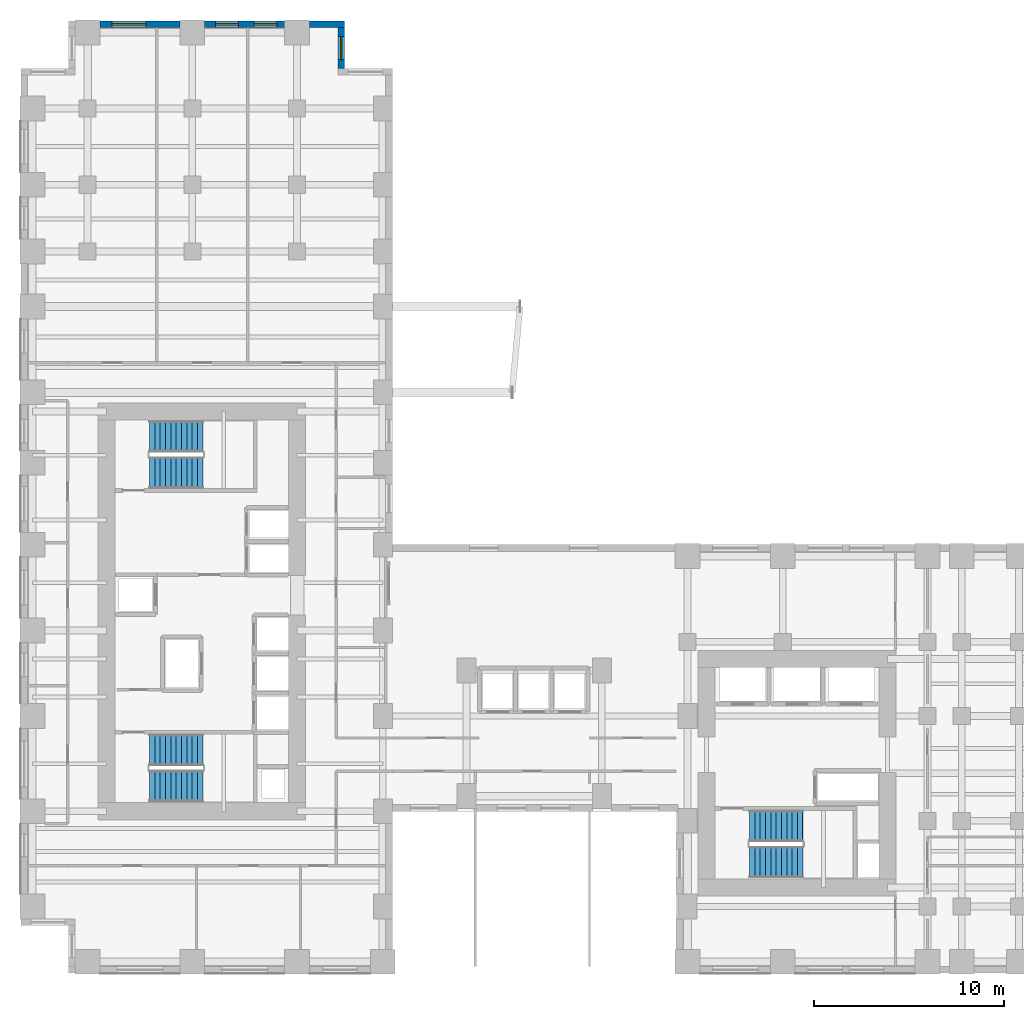
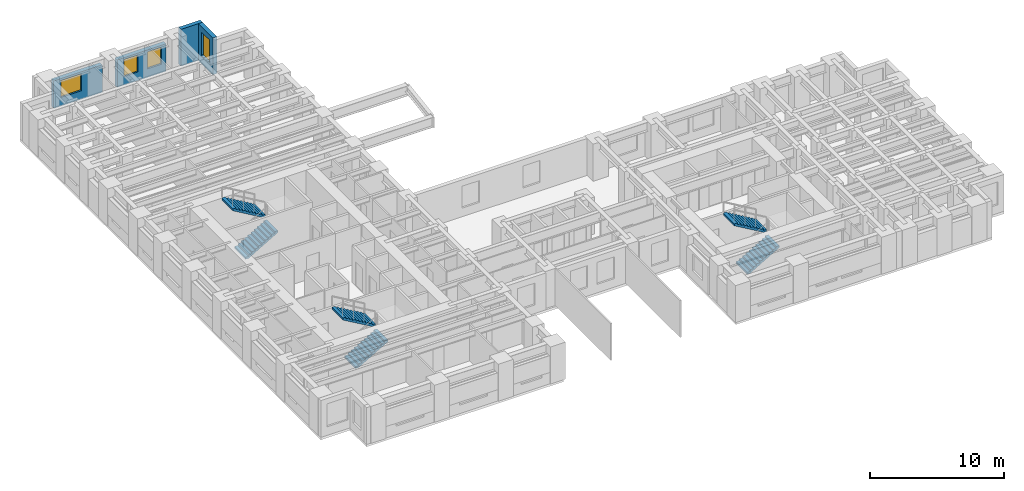
# One storey, part 12 of 14: 6 stair flights, 4 walls, 4 windows, 4 openings, 3 elements without a shape of their own.
"""IFC4 building model written with IfcOpenShell, lengths in metres."""

import ifcopenshell
import ifcopenshell.guid

model = None  # the IFC model being written
_history = None  # IfcOwnerHistory: only IFC2X3 demands one
_inside = {}  # id of a spatial element -> (the spatial element, [elements in it])
_under = {}  # id of a project, library or spatial element -> (it, [spatial elements below it])
_declared = {}  # id of a project -> (the project, [libraries it declares])
_typed = {}  # id of a type object -> (the type object, [elements of that type])
_made_of = {}  # id of a material, layer set ... -> (it, [elements and type objects made of it])


def new_model(schema):
    """Start an empty IFC model of exactly this schema.

    Asked for "IFC4X3", IfcOpenShell would pick the latest addendum, in which some entities
    have other attributes; the version numbers below select the first issue.
    IFC2X3 requires an IfcOwnerHistory on every rooted entity: one is made here for all.
    """
    global model, _history
    if schema == "IFC4X3":
        model = ifcopenshell.file(schema_version=(4, 3, 0, 0))
    else:
        model = ifcopenshell.file(schema=schema)
    _inside.clear()
    _under.clear()
    _declared.clear()
    _typed.clear()
    _made_of.clear()
    _history = None
    if model.schema == "IFC2X3":
        org = make("IfcOrganization", Name="unknown")
        user = make(
            "IfcPersonAndOrganization",
            ThePerson=make("IfcPerson", FamilyName="unknown"),
            TheOrganization=org,
        )
        app = make(
            "IfcApplication",
            ApplicationDeveloper=org,
            Version="unknown",
            ApplicationFullName="unknown",
            ApplicationIdentifier="unknown",
        )
        _history = make(
            "IfcOwnerHistory",
            OwningUser=user,
            OwningApplication=app,
            ChangeAction="ADDED",
            CreationDate=0,
        )
    return model


def make(cls, **values):
    """One entity of the class cls with the attributes given. An attribute that is None is left unset."""
    return model.create_entity(
        cls, **{name: value for name, value in values.items() if value is not None}
    )


def rooted(cls, **values):
    """An entity with a GlobalId (a new one), such as an element, a storey or a relation."""
    return make(cls, GlobalId=ifcopenshell.guid.new(), OwnerHistory=_history, **values)


def si_unit(unit_type, name, prefix=None):
    """IfcSIUnit, for example si_unit("LENGTHUNIT", "METRE", prefix="MILLI")."""
    return make("IfcSIUnit", UnitType=unit_type, Prefix=prefix, Name=name)


def assignment(units):
    """IfcUnitAssignment: the units of a project."""
    return None if units is None else make("IfcUnitAssignment", Units=units)


def point(xyz):
    """IfcCartesianPoint."""
    return None if xyz is None else make("IfcCartesianPoint", Coordinates=xyz)


def direction(xyz):
    """IfcDirection."""
    return None if xyz is None else make("IfcDirection", DirectionRatios=xyz)


def frame(location, z_axis=None, x_axis=None):
    """IfcAxis2Placement3D, a coordinate frame: its origin and axes. An axis left out is left unset."""
    return make(
        "IfcAxis2Placement3D",
        Location=point(location),
        Axis=direction(z_axis),
        RefDirection=direction(x_axis),
    )


def frame_2d(location, x_axis=None):
    """IfcAxis2Placement2D, a coordinate frame in the plane: its origin and x axis."""
    return make(
        "IfcAxis2Placement2D", Location=point(location), RefDirection=direction(x_axis)
    )


def origin():
    """The frame at (0, 0, 0) with its axes left unset."""
    return frame((0.0, 0.0, 0.0))


def place(relative_to, where):
    """IfcLocalPlacement: puts the frame where relative to a parent placement (None: the world)."""
    return make(
        "IfcLocalPlacement", PlacementRelTo=relative_to, RelativePlacement=where
    )


def context(
    kind, dimensions, precision=None, world=None, true_north=None, identifier=None
):
    """IfcGeometricRepresentationContext, for example the 3D "Model" context."""
    return make(
        "IfcGeometricRepresentationContext",
        ContextIdentifier=identifier,
        ContextType=kind,
        CoordinateSpaceDimension=dimensions,
        Precision=precision,
        WorldCoordinateSystem=world,
        TrueNorth=true_north,
    )


def subcontext(parent, identifier, kind, view, scale=None):
    """IfcGeometricRepresentationSubContext, for example "Body" below "Model"."""
    return make(
        "IfcGeometricRepresentationSubContext",
        ContextIdentifier=identifier,
        ContextType=kind,
        ParentContext=parent,
        TargetScale=scale,
        TargetView=view,
    )


def project(units=None, contexts=None):
    """IfcProject with its units and contexts."""
    return rooted(
        "IfcProject",
        Name="project",
        RepresentationContexts=contexts,
        UnitsInContext=assignment(units),
    )


def spatial(cls, under=None, at=None, **own):
    """A site, building, storey or space (cls), placed at a placement, below another one or the project."""
    s = rooted(cls, ObjectPlacement=at, **own)
    if under is not None:
        _under.setdefault(under.id(), (under, []))[1].append(s)
    return s


def polyline(points):
    """IfcPolyline through the points."""
    return make("IfcPolyline", Points=[point(p) for p in points])


def profile(cls, at=None, kind="AREA", **sizes):
    """A parametric profile (cls). Its sizes go by their IFC names, for example OverallWidth=200.0."""
    return make(cls, ProfileType=kind, Position=at, **sizes)


def rectangle(**sizes):
    """IfcRectangleProfileDef."""
    return profile("IfcRectangleProfileDef", **sizes)


def outline(outer, holes=None, kind="AREA"):
    """IfcArbitraryClosedProfileDef: a profile drawn as a closed curve; with holes, ...WithVoids."""
    if holes is None:
        return make("IfcArbitraryClosedProfileDef", ProfileType=kind, OuterCurve=outer)
    return make(
        "IfcArbitraryProfileDefWithVoids",
        ProfileType=kind,
        OuterCurve=outer,
        InnerCurves=holes,
    )


def extrude(swept, where, along, depth):
    """IfcExtrudedAreaSolid: the profile swept, set in the frame where, extruded along a direction by depth."""
    return make(
        "IfcExtrudedAreaSolid",
        SweptArea=swept,
        Position=where,
        ExtrudedDirection=direction(along),
        Depth=depth,
    )


def shape(context_of_items, identifier, shape_type, items):
    """IfcShapeRepresentation: the items that make up one representation, for example the "Body"."""
    return make(
        "IfcShapeRepresentation",
        ContextOfItems=context_of_items,
        RepresentationIdentifier=identifier,
        RepresentationType=shape_type,
        Items=items,
    )


def source(mapping_origin, context_of_items, identifier, shape_type, items):
    """IfcRepresentationMap: a shape defined once, which mapped items show again and again."""
    return make(
        "IfcRepresentationMap",
        MappingOrigin=mapping_origin,
        MappedRepresentation=shape(context_of_items, identifier, shape_type, items),
    )


def transform(
    local_origin,
    x_axis=None,
    y_axis=None,
    z_axis=None,
    scale=None,
    scale2=None,
    scale3=None,
    uniform=True,
):
    """IfcCartesianTransformationOperator3D, or its non-uniform kind. x_axis, y_axis, z_axis: its Axis1, 2, 3."""
    if uniform:
        return make(
            "IfcCartesianTransformationOperator3D",
            Axis1=direction(x_axis),
            Axis2=direction(y_axis),
            LocalOrigin=point(local_origin),
            Scale=scale,
            Axis3=direction(z_axis),
        )
    return make(
        "IfcCartesianTransformationOperator3DnonUniform",
        Axis1=direction(x_axis),
        Axis2=direction(y_axis),
        LocalOrigin=point(local_origin),
        Scale=scale,
        Axis3=direction(z_axis),
        Scale2=scale2,
        Scale3=scale3,
    )


def mapped(mapping_source, mapping_target):
    """IfcMappedItem: shows the shape of a source again, moved by a transform."""
    return make(
        "IfcMappedItem", MappingSource=mapping_source, MappingTarget=mapping_target
    )


def material(Name=None, Category=None):
    """IfcMaterial."""
    return make("IfcMaterial", Name=Name, Category=Category)


def layer(
    of_material, thickness, ventilated=None, Name=None, Category=None, Priority=None
):
    """IfcMaterialLayer: one layer of a wall or slab, of a material (None: an air gap)."""
    return make(
        "IfcMaterialLayer",
        Material=of_material,
        LayerThickness=thickness,
        IsVentilated=ventilated,
        Name=Name,
        Category=Category,
        Priority=Priority,
    )


def layer_set(layers, Name=None):
    """IfcMaterialLayerSet."""
    return make("IfcMaterialLayerSet", MaterialLayers=layers, LayerSetName=Name)


def made_of(thing, what):
    """Note that an element or type object is made of a material, layer set ...; save() writes the relation."""
    if what is not None:
        _made_of.setdefault(what.id(), (what, []))[1].append(thing)
    return thing


def type_object(cls, material=None, **own):
    """A type object (cls), such as IfcWallType, which elements share."""
    return made_of(rooted(cls, **own), material)


def element(
    cls,
    number,
    at=None,
    inside=None,
    cuts=None,
    type_object=None,
    material=None,
    context=None,
    identifier="Body",
    shape_type=None,
    held_by="IfcProductDefinitionShape",
    body=None,
    shapes=None,
    **own,
):
    """One element of the class cls, such as IfcWall. Its Tag is "e" and its number.

    at: its placement. inside: the storey or other place that contains it. cuts: it is an
    opening in that element (IfcRelVoidsElement). A single representation is given by context,
    identifier, shape_type and body (its items); several are given by shapes. held_by: the class
    of the entity that holds the representations. save() writes the other relations.
    """
    e = rooted(cls, Tag="e%d" % number, ObjectPlacement=at, **own)
    if body is not None:
        shapes = [shape(context, identifier, shape_type, body)]
    if shapes is not None:
        e.Representation = make(held_by, Representations=shapes)
    if inside is not None:
        _inside.setdefault(inside.id(), (inside, []))[1].append(e)
    if cuts is not None:
        rooted(
            "IfcRelVoidsElement", RelatingBuildingElement=cuts, RelatedOpeningElement=e
        )
    if type_object is not None:
        _typed.setdefault(type_object.id(), (type_object, []))[1].append(e)
    return made_of(e, material)


def fill(opening, filler):
    """IfcRelFillsElement: the door or window that sits in an opening."""
    return rooted(
        "IfcRelFillsElement",
        RelatingOpeningElement=opening,
        RelatedBuildingElement=filler,
    )


def aggregate(whole, parts):
    """IfcRelAggregates: a whole, such as a stair, and the parts it consists of."""
    return rooted("IfcRelAggregates", RelatingObject=whole, RelatedObjects=parts)


def save(model, path):
    """Write the relations noted so far, then the file.

    IfcRelAggregates (storeys below a building ...), IfcRelContainedInSpatialStructure (elements
    in a storey), IfcRelDefinesByType, IfcRelAssociatesMaterial and IfcRelDeclares: one each for
    every whole, place, type object, material and project.
    """
    for whole, parts in _under.values():
        aggregate(whole, parts)
    for where, things in _inside.values():
        rooted(
            "IfcRelContainedInSpatialStructure",
            RelatedElements=things,
            RelatingStructure=where,
        )
    for kind, things in _typed.values():
        rooted("IfcRelDefinesByType", RelatedObjects=things, RelatingType=kind)
    for what, things in _made_of.values():
        rooted("IfcRelAssociatesMaterial", RelatedObjects=things, RelatingMaterial=what)
    for by, libraries in _declared.values():
        rooted("IfcRelDeclares", RelatingContext=by, RelatedDefinitions=libraries)
    model.write(path)


model = new_model("IFC4")

# Units and contexts
model_context = context("Model", 3, precision=1e-05, world=origin(), true_north=direction((0.0, 1.0)))
body_context = subcontext(model_context, "Body", "Model", "MODEL_VIEW")
ifc_project = project(units=[si_unit("LENGTHUNIT", "METRE"), si_unit("AREAUNIT", "SQUARE_METRE"), si_unit("VOLUMEUNIT", "CUBIC_METRE"), si_unit("PLANEANGLEUNIT", "RADIAN"), si_unit("MASSUNIT", "GRAM", prefix="KILO")], contexts=[model_context])

# Site, building, storey
site_placement = place(None, origin())
site = spatial("IfcSite", under=ifc_project, at=site_placement, CompositionType="ELEMENT")
building_placement = place(site_placement, origin())
building = spatial("IfcBuilding", under=site, at=building_placement, Name="Kharzan Plaza Tower", CompositionType="ELEMENT")
storey_placement = place(building_placement, frame((0.0, 0.0, 36.89990234375)))
storey = spatial("IfcBuildingStorey", under=building, at=storey_placement, Name="L09", CompositionType="ELEMENT", Elevation=36.89990234375)

# Wall, opening, window
ifc_material_1 = material(Name="Concrete C40/50", Category="concrete")
ifc_layer = layer(ifc_material_1, 0.35009765625)
ifc_layer_set = layer_set([ifc_layer], Name="Concrete C40/50")
wall_type = type_object("IfcWallType", Name="WL-EXT-MAS-Z1", PredefinedType="SOLIDWALL", material=ifc_layer_set)
wall_1_placement = place(storey_placement, frame((16.824951171875, 47.498046875, 0.0), z_axis=(0.0, 0.0, 1.0), x_axis=(0.0, 1.0, 0.0)))
wall_1 = element("IfcWall", 1, at=wall_1_placement, inside=storey, type_object=wall_type, Name="L09 Masonry-Frame Exterior Wall 02", PredefinedType="SOLIDWALL", context=body_context, shape_type="SweptSolid", body=[
    extrude(rectangle(XDim=2.154052734375, YDim=0.35009765625, at=frame_2d((1.0771484375, 0.0))), origin(), (0.0, 0.0, 1.0), 3.364990234375),
])
opening_1_placement = place(wall_1_placement, frame((0.47705078125, 0.0, 0.780029296875)))
opening_1 = element("IfcOpeningElement", 2, at=opening_1_placement, cuts=wall_1, Name="Opening W3", PredefinedType="OPENING", context=body_context, shape_type="SweptSolid", body=[
    extrude(rectangle(XDim=1.199951171875, YDim=2.10009765625, at=frame_2d((0.60009765625, 1.050048828125))), frame((0.0, 0.18505859375, 0.0), z_axis=(0.0, -1.0, 0.0), x_axis=(1.0, 0.0, 0.0)), (0.0, 0.0, 1.0), 0.3701171875),
])
ifc_material_2 = material(Name="Low-E Double Glazing", Category="glass")
window_type_1 = type_object("IfcWindowType", Name="WN-REC-1200x2100", PartitioningType="SINGLE_PANEL", PredefinedType="WINDOW", material=ifc_material_2)
shared_shape_1 = source(origin(), body_context, "Body", "SweptSolid", [
    extrude(rectangle(XDim=1.199951171875, YDim=2.10009765625, at=frame_2d((0.60009765625, 1.050048828125))), frame((0.0, 0.030029296875, 0.0), z_axis=(0.0, -1.0, 0.0), x_axis=(1.0, 0.0, 0.0)), (0.0, 0.0, 1.0), 0.06005859375),
])
window_1_placement = place(opening_1_placement, origin())
window_1 = element("IfcWindow", 3, at=window_1_placement, inside=storey, type_object=window_type_1, Name="L09 Recessed Solar-Control Window 02-1", OverallHeight=2.10009765625, OverallWidth=1.199951171875, PartitioningType="SINGLE_PANEL", PredefinedType="WINDOW", context=body_context, shape_type="MappedRepresentation", body=[
    mapped(shared_shape_1, transform((0.0, 0.0, 0.0), x_axis=(1.0, 0.0, 0.0), y_axis=(0.0, 1.0, 0.0), z_axis=(0.0, 0.0, 1.0))),
])
fill(opening_1, window_1)

# Wall, openings, windows
wall_2_placement = place(storey_placement, frame((13.85205078125, 49.824951171875, 0.0), z_axis=(0.0, 0.0, 1.0), x_axis=(-1.0, 0.0, 0.0)))
wall_2 = element("IfcWall", 4, at=wall_2_placement, inside=storey, type_object=wall_type, Name="L09 Masonry-Frame Exterior Wall 04", PredefinedType="SOLIDWALL", context=body_context, shape_type="SweptSolid", body=[
    extrude(rectangle(XDim=4.2041015625, YDim=0.35009765625, at=frame_2d((2.10205078125, 0.0))), origin(), (0.0, 0.0, 1.0), 2.510009765625),
])
opening_2_placement = place(wall_2_placement, frame((0.403076171875, 0.0, 0.780029296875)))
opening_2 = element("IfcOpeningElement", 5, at=opening_2_placement, cuts=wall_2, Name="Opening W3", PredefinedType="OPENING", context=body_context, shape_type="SweptSolid", body=[
    extrude(rectangle(XDim=1.199951171875, YDim=1.550048828125, at=frame_2d((0.60009765625, 0.77490234375))), frame((0.0, 0.18505859375, 0.0), z_axis=(0.0, -1.0, 0.0), x_axis=(1.0, 0.0, 0.0)), (0.0, 0.0, 1.0), 0.3701171875),
])
opening_3_placement = place(wall_2_placement, frame((2.43505859375, 0.0, 0.780029296875)))
opening_3 = element("IfcOpeningElement", 6, at=opening_3_placement, cuts=wall_2, Name="Opening W3", PredefinedType="OPENING", context=body_context, shape_type="SweptSolid", body=[
    extrude(rectangle(XDim=1.199951171875, YDim=1.550048828125, at=frame_2d((0.60009765625, 0.77490234375))), frame((0.0, 0.18505859375, 0.0), z_axis=(0.0, -1.0, 0.0), x_axis=(1.0, 0.0, 0.0)), (0.0, 0.0, 1.0), 0.3701171875),
])
shared_shape_2 = source(origin(), body_context, "Body", "SweptSolid", [
    extrude(rectangle(XDim=1.199951171875, YDim=1.550048828125, at=frame_2d((0.60009765625, 0.77490234375))), frame((0.0, 0.030029296875, 0.0), z_axis=(0.0, -1.0, 0.0), x_axis=(1.0, 0.0, 0.0)), (0.0, 0.0, 1.0), 0.06005859375),
])
window_2_placement = place(opening_2_placement, origin())
window_2 = element("IfcWindow", 7, at=window_2_placement, inside=storey, type_object=window_type_1, Name="L09 Recessed Solar-Control Window 04-1", OverallHeight=1.550048828125, OverallWidth=1.199951171875, PartitioningType="SINGLE_PANEL", PredefinedType="WINDOW", context=body_context, shape_type="MappedRepresentation", body=[
    mapped(shared_shape_2, transform((0.0, 0.0, 0.0), x_axis=(1.0, 0.0, 0.0), y_axis=(0.0, 1.0, 0.0), z_axis=(0.0, 0.0, 1.0))),
])
fill(opening_2, window_2)
window_3_placement = place(opening_3_placement, origin())
window_3 = element("IfcWindow", 8, at=window_3_placement, inside=storey, type_object=window_type_1, Name="L09 Recessed Solar-Control Window 04-2", OverallHeight=1.550048828125, OverallWidth=1.199951171875, PartitioningType="SINGLE_PANEL", PredefinedType="WINDOW", context=body_context, shape_type="MappedRepresentation", body=[
    mapped(shared_shape_2, transform((0.0, 0.0, 0.0), x_axis=(1.0, 0.0, 0.0), y_axis=(0.0, 1.0, 0.0), z_axis=(0.0, 0.0, 1.0))),
])
fill(opening_3, window_3)

# Wall, opening, window
wall_3_placement = place(storey_placement, frame((8.35205078125, 49.824951171875, 0.0), z_axis=(0.0, 0.0, 1.0), x_axis=(-1.0, 0.0, 0.0)))
wall_3 = element("IfcWall", 9, at=wall_3_placement, inside=storey, type_object=wall_type, Name="L09 Masonry-Frame Exterior Wall 05", PredefinedType="SOLIDWALL", context=body_context, shape_type="SweptSolid", body=[
    extrude(rectangle(XDim=4.2041015625, YDim=0.35009765625, at=frame_2d((2.10205078125, 0.0))), origin(), (0.0, 0.0, 1.0), 2.510009765625),
])
opening_4_placement = place(wall_3_placement, frame((1.782470703125, 0.0, 0.780029296875)))
opening_4 = element("IfcOpeningElement", 10, at=opening_4_placement, cuts=wall_3, Name="Opening W1", PredefinedType="OPENING", context=body_context, shape_type="SweptSolid", body=[
    extrude(rectangle(XDim=1.800048828125, YDim=1.550048828125, at=frame_2d((0.89990234375, 0.77490234375))), frame((0.0, 0.18505859375, 0.0), z_axis=(0.0, -1.0, 0.0), x_axis=(1.0, 0.0, 0.0)), (0.0, 0.0, 1.0), 0.3701171875),
])
window_type_2 = type_object("IfcWindowType", Name="WN-REC-1800x2100", PartitioningType="SINGLE_PANEL", PredefinedType="WINDOW", material=ifc_material_2)
shared_shape_3 = source(origin(), body_context, "Body", "SweptSolid", [
    extrude(rectangle(XDim=1.800048828125, YDim=1.550048828125, at=frame_2d((0.89990234375, 0.77490234375))), frame((0.0, 0.030029296875, 0.0), z_axis=(0.0, -1.0, 0.0), x_axis=(1.0, 0.0, 0.0)), (0.0, 0.0, 1.0), 0.06005859375),
])
window_4_placement = place(opening_4_placement, origin())
window_4 = element("IfcWindow", 11, at=window_4_placement, inside=storey, type_object=window_type_2, Name="L09 Recessed Solar-Control Window 05-1", OverallHeight=1.550048828125, OverallWidth=1.800048828125, PartitioningType="SINGLE_PANEL", PredefinedType="WINDOW", context=body_context, shape_type="MappedRepresentation", body=[
    mapped(shared_shape_3, transform((0.0, 0.0, 0.0), x_axis=(1.0, 0.0, 0.0), y_axis=(0.0, 1.0, 0.0), z_axis=(0.0, 0.0, 1.0))),
])
fill(opening_4, window_4)

# Wall
shared_shape_4 = source(origin(), body_context, "Body", "SweptSolid", [
    extrude(rectangle(XDim=1.85205078125, YDim=0.35009765625, at=frame_2d((0.926025390625, 0.0))), origin(), (0.0, 0.0, 1.0), 3.364990234375),
])
wall_4_placement = place(storey_placement, frame((17.0, 49.824951171875, 0.0), z_axis=(0.0, 0.0, 1.0), x_axis=(-1.0, 0.0, 0.0)))
element("IfcWall", 12, at=wall_4_placement, inside=storey, type_object=wall_type, Name="L09 Masonry-Frame Exterior Wall 03", PredefinedType="SOLIDWALL", context=body_context, shape_type="MappedRepresentation", body=[
    mapped(shared_shape_4, transform((0.0, 0.0, 0.0), x_axis=(1.0, 0.0, 0.0), y_axis=(0.0, 1.0, 0.0), z_axis=(0.0, 0.0, 1.0))),
])

# Stair, stair flights
stair_type_1 = type_object("IfcStairType", Name="STR-ST-1", PredefinedType="HALF_TURN_STAIR", material=ifc_material_1)
stair_1_placement = place(storey_placement, origin())
stair_1 = element("IfcStair", 13, at=stair_1_placement, inside=storey, type_object=stair_type_1, Name="L09 Protected Exit Stair ST-1", PredefinedType="HALF_TURN_STAIR")
stair_flight_type = type_object("IfcStairFlightType", Name="SFL-1650-R173", PredefinedType="STRAIGHT", material=ifc_material_1)
shared_shape_5 = source(origin(), body_context, "Body", "SweptSolid", [
    extrude(outline(polyline([(-0.0029296875, -0.011962890625), (-0.0029296875, 0.0), (0.0, 0.0), (0.0, 0.16357421875), (0.280029296875, 0.16357421875), (0.280029296875, 0.3271484375), (0.56005859375, 0.3271484375), (0.56005859375, 0.49072265625), (0.840087890625, 0.49072265625), (0.840087890625, 0.654296875), (1.1201171875, 0.654296875), (1.1201171875, 0.81787109375), (1.400146484375, 0.81787109375), (1.400146484375, 0.9814453125), (1.68017578125, 0.9814453125), (1.68017578125, 1.14501953125), (1.960205078125, 1.14501953125), (1.960205078125, 1.30859375), (2.240234375, 1.30859375), (2.240234375, 1.47216796875), (2.520263671875, 1.47216796875), (2.520263671875, 1.6357421875), (2.80029296875, 1.6357421875), (2.80029296875, 1.79931640625), (2.80029296875, 1.462158203125), (0.297119140625, 0.0), (0.297119140625, -0.011962890625), (-0.0029296875, -0.011962890625)])), frame((0.0, 0.824951171875, 0.0), z_axis=(0.0, -1.0, 0.0), x_axis=(1.0, 0.0, 0.0)), (0.0, 0.0, 1.0), 1.64990234375),
])
stair_flight_1_placement = place(storey_placement, frame((6.75, 9.824951171875, 0.0), z_axis=(0.0, 0.0, 1.0), x_axis=(1.0, 0.0, 0.0)))
stair_flight_1 = element("IfcStairFlight", 14, at=stair_flight_1_placement, type_object=stair_flight_type, Name="ST-1 flight 1", NumberOfRisers=11, NumberOfTreads=10, PredefinedType="STRAIGHT", RiserHeight=0.163636364, TreadLength=0.28, context=body_context, shape_type="MappedRepresentation", body=[
    mapped(shared_shape_5, transform((0.0, 0.0, 0.0), x_axis=(1.0, 0.0, 0.0), y_axis=(0.0, 1.0, 0.0), z_axis=(0.0, 0.0, 1.0))),
])
stair_flight_2_placement = place(storey_placement, frame((9.550048828125, 11.72509765625, 1.800048828125), z_axis=(0.0, 0.0, 1.0), x_axis=(-1.0, 0.0, 0.0)))
stair_flight_2 = element("IfcStairFlight", 15, at=stair_flight_2_placement, type_object=stair_flight_type, Name="ST-1 flight 2", NumberOfRisers=11, NumberOfTreads=10, PredefinedType="STRAIGHT", RiserHeight=0.163636364, TreadLength=0.28, context=body_context, shape_type="MappedRepresentation", body=[
    mapped(shared_shape_5, transform((0.0, 0.0, 0.0), x_axis=(1.0, 0.0, 0.0), y_axis=(0.0, 1.0, 0.0), z_axis=(0.0, 0.0, 1.0))),
])
aggregate(stair_1, [stair_flight_1, stair_flight_2])

stair_type_2 = type_object("IfcStairType", Name="STR-ST-2", PredefinedType="HALF_TURN_STAIR", material=ifc_material_1)
stair_2_placement = place(storey_placement, origin())
stair_2 = element("IfcStair", 16, at=stair_2_placement, inside=storey, type_object=stair_type_2, Name="L09 Protected Exit Stair ST-2", PredefinedType="HALF_TURN_STAIR")
stair_flight_3_placement = place(storey_placement, frame((6.75, 26.27490234375, 0.0), z_axis=(0.0, 0.0, 1.0), x_axis=(1.0, 0.0, 0.0)))
stair_flight_3 = element("IfcStairFlight", 17, at=stair_flight_3_placement, type_object=stair_flight_type, Name="ST-2 flight 1", NumberOfRisers=11, NumberOfTreads=10, PredefinedType="STRAIGHT", RiserHeight=0.163636364, TreadLength=0.28, context=body_context, shape_type="MappedRepresentation", body=[
    mapped(shared_shape_5, transform((0.0, 0.0, 0.0), x_axis=(1.0, 0.0, 0.0), y_axis=(0.0, 1.0, 0.0), z_axis=(0.0, 0.0, 1.0))),
])
stair_flight_4_placement = place(storey_placement, frame((9.550048828125, 28.175048828125, 1.800048828125), z_axis=(0.0, 0.0, 1.0), x_axis=(-1.0, 0.0, 0.0)))
stair_flight_4 = element("IfcStairFlight", 18, at=stair_flight_4_placement, type_object=stair_flight_type, Name="ST-2 flight 2", NumberOfRisers=11, NumberOfTreads=10, PredefinedType="STRAIGHT", RiserHeight=0.163636364, TreadLength=0.28, context=body_context, shape_type="MappedRepresentation", body=[
    mapped(shared_shape_5, transform((0.0, 0.0, 0.0), x_axis=(1.0, 0.0, 0.0), y_axis=(0.0, 1.0, 0.0), z_axis=(0.0, 0.0, 1.0))),
])
aggregate(stair_2, [stair_flight_3, stair_flight_4])

stair_type_3 = type_object("IfcStairType", Name="STR-ST-3", PredefinedType="HALF_TURN_STAIR", material=ifc_material_1)
stair_3_placement = place(storey_placement, origin())
stair_3 = element("IfcStair", 19, at=stair_3_placement, inside=storey, type_object=stair_type_3, Name="L09 Protected Exit Stair ST-3", PredefinedType="HALF_TURN_STAIR")
stair_flight_5_placement = place(storey_placement, frame((38.25, 5.824951171875, 0.0), z_axis=(0.0, 0.0, 1.0), x_axis=(1.0, 0.0, 0.0)))
stair_flight_5 = element("IfcStairFlight", 20, at=stair_flight_5_placement, type_object=stair_flight_type, Name="ST-3 flight 1", NumberOfRisers=11, NumberOfTreads=10, PredefinedType="STRAIGHT", RiserHeight=0.163636364, TreadLength=0.28, context=body_context, shape_type="MappedRepresentation", body=[
    mapped(shared_shape_5, transform((0.0, 0.0, 0.0), x_axis=(1.0, 0.0, 0.0), y_axis=(0.0, 1.0, 0.0), z_axis=(0.0, 0.0, 1.0))),
])
stair_flight_6_placement = place(storey_placement, frame((41.050048828125, 7.72509765625, 1.800048828125), z_axis=(0.0, 0.0, 1.0), x_axis=(-1.0, 0.0, 0.0)))
stair_flight_6 = element("IfcStairFlight", 21, at=stair_flight_6_placement, type_object=stair_flight_type, Name="ST-3 flight 2", NumberOfRisers=11, NumberOfTreads=10, PredefinedType="STRAIGHT", RiserHeight=0.163636364, TreadLength=0.28, context=body_context, shape_type="MappedRepresentation", body=[
    mapped(shared_shape_5, transform((0.0, 0.0, 0.0), x_axis=(1.0, 0.0, 0.0), y_axis=(0.0, 1.0, 0.0), z_axis=(0.0, 0.0, 1.0))),
])
aggregate(stair_3, [stair_flight_5, stair_flight_6])

save(model, "model.ifc")
